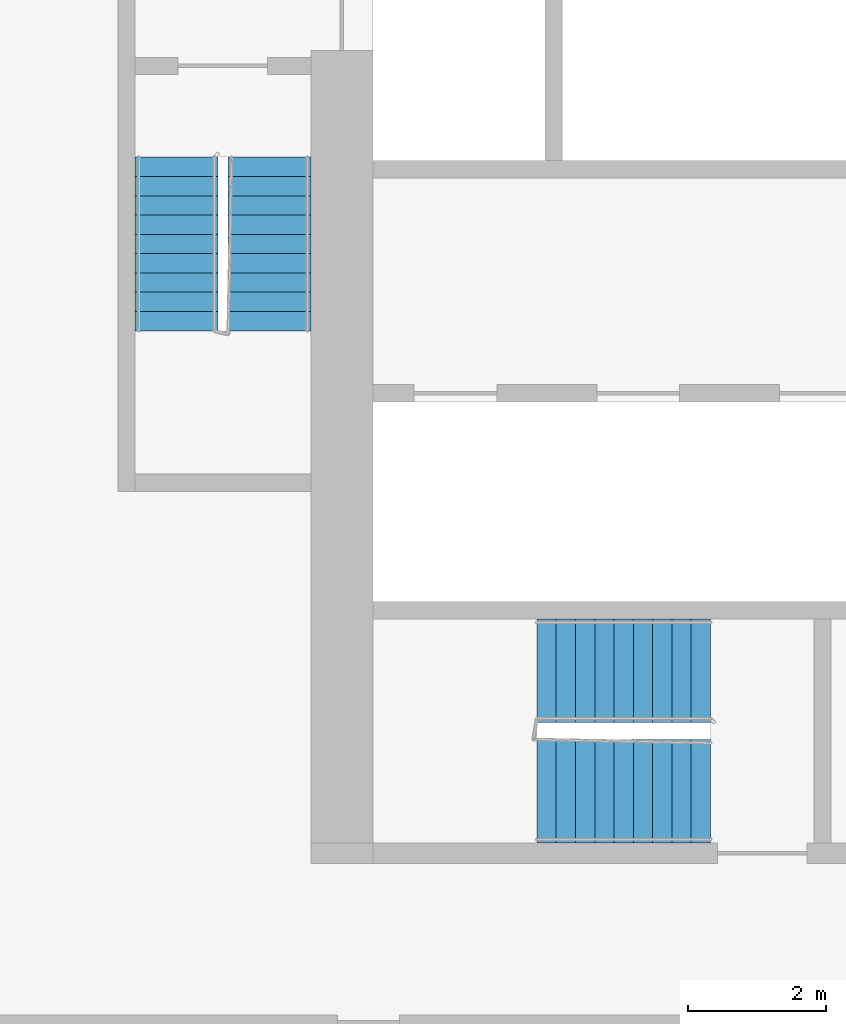
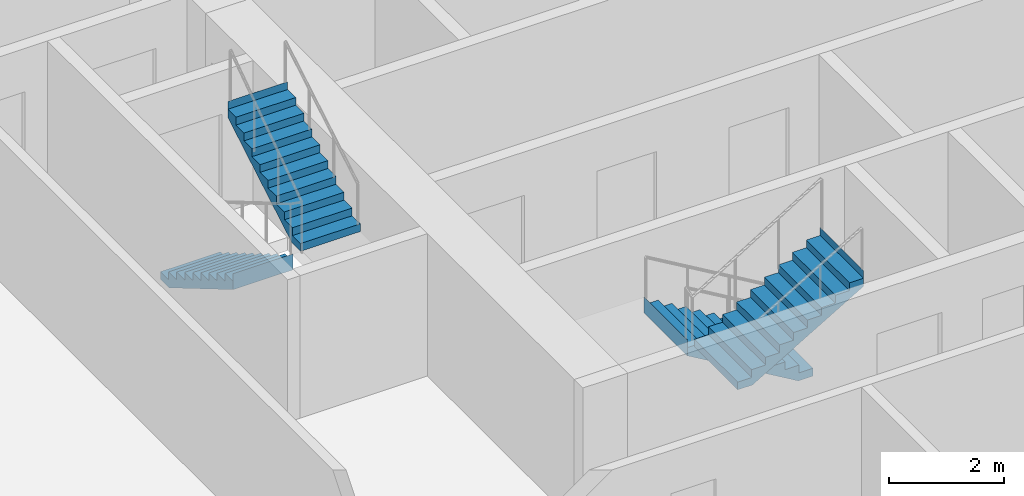
# One storey, part 9 of 13: 4 stair flights, 2 elements without a shape of their own.
"""IFC4 building model written with IfcOpenShell, lengths in metres."""

import ifcopenshell
import ifcopenshell.guid

model = None  # the IFC model being written
_history = None  # IfcOwnerHistory: only IFC2X3 demands one
_inside = {}  # id of a spatial element -> (the spatial element, [elements in it])
_under = {}  # id of a project, library or spatial element -> (it, [spatial elements below it])
_declared = {}  # id of a project -> (the project, [libraries it declares])
_typed = {}  # id of a type object -> (the type object, [elements of that type])
_made_of = {}  # id of a material, layer set ... -> (it, [elements and type objects made of it])


def new_model(schema):
    """Start an empty IFC model of exactly this schema.

    Asked for "IFC4X3", IfcOpenShell would pick the latest addendum, in which some entities
    have other attributes; the version numbers below select the first issue.
    IFC2X3 requires an IfcOwnerHistory on every rooted entity: one is made here for all.
    """
    global model, _history
    if schema == "IFC4X3":
        model = ifcopenshell.file(schema_version=(4, 3, 0, 0))
    else:
        model = ifcopenshell.file(schema=schema)
    _inside.clear()
    _under.clear()
    _declared.clear()
    _typed.clear()
    _made_of.clear()
    _history = None
    if model.schema == "IFC2X3":
        org = make("IfcOrganization", Name="unknown")
        user = make(
            "IfcPersonAndOrganization",
            ThePerson=make("IfcPerson", FamilyName="unknown"),
            TheOrganization=org,
        )
        app = make(
            "IfcApplication",
            ApplicationDeveloper=org,
            Version="unknown",
            ApplicationFullName="unknown",
            ApplicationIdentifier="unknown",
        )
        _history = make(
            "IfcOwnerHistory",
            OwningUser=user,
            OwningApplication=app,
            ChangeAction="ADDED",
            CreationDate=0,
        )
    return model


def make(cls, **values):
    """One entity of the class cls with the attributes given. An attribute that is None is left unset."""
    return model.create_entity(
        cls, **{name: value for name, value in values.items() if value is not None}
    )


def rooted(cls, **values):
    """An entity with a GlobalId (a new one), such as an element, a storey or a relation."""
    return make(cls, GlobalId=ifcopenshell.guid.new(), OwnerHistory=_history, **values)


def si_unit(unit_type, name, prefix=None):
    """IfcSIUnit, for example si_unit("LENGTHUNIT", "METRE", prefix="MILLI")."""
    return make("IfcSIUnit", UnitType=unit_type, Prefix=prefix, Name=name)


def assignment(units):
    """IfcUnitAssignment: the units of a project."""
    return None if units is None else make("IfcUnitAssignment", Units=units)


def point(xyz):
    """IfcCartesianPoint."""
    return None if xyz is None else make("IfcCartesianPoint", Coordinates=xyz)


def direction(xyz):
    """IfcDirection."""
    return None if xyz is None else make("IfcDirection", DirectionRatios=xyz)


def frame(location, z_axis=None, x_axis=None):
    """IfcAxis2Placement3D, a coordinate frame: its origin and axes. An axis left out is left unset."""
    return make(
        "IfcAxis2Placement3D",
        Location=point(location),
        Axis=direction(z_axis),
        RefDirection=direction(x_axis),
    )


def origin():
    """The frame at (0, 0, 0) with its axes left unset."""
    return frame((0.0, 0.0, 0.0))


def place(relative_to, where):
    """IfcLocalPlacement: puts the frame where relative to a parent placement (None: the world)."""
    return make(
        "IfcLocalPlacement", PlacementRelTo=relative_to, RelativePlacement=where
    )


def context(
    kind, dimensions, precision=None, world=None, true_north=None, identifier=None
):
    """IfcGeometricRepresentationContext, for example the 3D "Model" context."""
    return make(
        "IfcGeometricRepresentationContext",
        ContextIdentifier=identifier,
        ContextType=kind,
        CoordinateSpaceDimension=dimensions,
        Precision=precision,
        WorldCoordinateSystem=world,
        TrueNorth=true_north,
    )


def subcontext(parent, identifier, kind, view, scale=None):
    """IfcGeometricRepresentationSubContext, for example "Body" below "Model"."""
    return make(
        "IfcGeometricRepresentationSubContext",
        ContextIdentifier=identifier,
        ContextType=kind,
        ParentContext=parent,
        TargetScale=scale,
        TargetView=view,
    )


def project(units=None, contexts=None):
    """IfcProject with its units and contexts."""
    return rooted(
        "IfcProject",
        Name="project",
        RepresentationContexts=contexts,
        UnitsInContext=assignment(units),
    )


def spatial(cls, under=None, at=None, **own):
    """A site, building, storey or space (cls), placed at a placement, below another one or the project."""
    s = rooted(cls, ObjectPlacement=at, **own)
    if under is not None:
        _under.setdefault(under.id(), (under, []))[1].append(s)
    return s


def faces_of(points, faces, orient=None, outer=None):
    """IfcFace entities. A face is a list of loops; a loop is a list of indices into points, from 0.

    orient and outer hold one flag for each loop. By default every Orientation is true, the
    first loop of a face is its IfcFaceOuterBound and the others are IfcFaceBound.
    """
    made = []
    for i, loops in enumerate(faces):
        bounds = []
        for j, loop in enumerate(loops):
            is_outer = j == 0 if outer is None else outer[i][j]
            bounds.append(
                make(
                    "IfcFaceOuterBound" if is_outer else "IfcFaceBound",
                    Bound=make("IfcPolyLoop", Polygon=[points[k] for k in loop]),
                    Orientation=True if orient is None else orient[i][j],
                )
            )
        made.append(make("IfcFace", Bounds=bounds))
    return made


def faceted_brep(points, faces, orient=None, outer=None, voids=None):
    """IfcFacetedBrep: a solid bounded by flat faces; with voids (closed shells), ...WithVoids."""
    shared = [point(p) for p in points]
    hull = make("IfcClosedShell", CfsFaces=faces_of(shared, faces, orient, outer))
    if voids is None:
        return make("IfcFacetedBrep", Outer=hull)
    return make(
        "IfcFacetedBrepWithVoids",
        Outer=hull,
        Voids=[
            make(cls, CfsFaces=faces_of(shared, fs, o, b)) for cls, fs, o, b in voids
        ],
    )


def shape(context_of_items, identifier, shape_type, items):
    """IfcShapeRepresentation: the items that make up one representation, for example the "Body"."""
    return make(
        "IfcShapeRepresentation",
        ContextOfItems=context_of_items,
        RepresentationIdentifier=identifier,
        RepresentationType=shape_type,
        Items=items,
    )


def material(Name=None, Category=None):
    """IfcMaterial."""
    return make("IfcMaterial", Name=Name, Category=Category)


def made_of(thing, what):
    """Note that an element or type object is made of a material, layer set ...; save() writes the relation."""
    if what is not None:
        _made_of.setdefault(what.id(), (what, []))[1].append(thing)
    return thing


def type_object(cls, material=None, **own):
    """A type object (cls), such as IfcWallType, which elements share."""
    return made_of(rooted(cls, **own), material)


def element(
    cls,
    number,
    at=None,
    inside=None,
    cuts=None,
    type_object=None,
    material=None,
    context=None,
    identifier="Body",
    shape_type=None,
    held_by="IfcProductDefinitionShape",
    body=None,
    shapes=None,
    **own,
):
    """One element of the class cls, such as IfcWall. Its Tag is "e" and its number.

    at: its placement. inside: the storey or other place that contains it. cuts: it is an
    opening in that element (IfcRelVoidsElement). A single representation is given by context,
    identifier, shape_type and body (its items); several are given by shapes. held_by: the class
    of the entity that holds the representations. save() writes the other relations.
    """
    e = rooted(cls, Tag="e%d" % number, ObjectPlacement=at, **own)
    if body is not None:
        shapes = [shape(context, identifier, shape_type, body)]
    if shapes is not None:
        e.Representation = make(held_by, Representations=shapes)
    if inside is not None:
        _inside.setdefault(inside.id(), (inside, []))[1].append(e)
    if cuts is not None:
        rooted(
            "IfcRelVoidsElement", RelatingBuildingElement=cuts, RelatedOpeningElement=e
        )
    if type_object is not None:
        _typed.setdefault(type_object.id(), (type_object, []))[1].append(e)
    return made_of(e, material)


def aggregate(whole, parts):
    """IfcRelAggregates: a whole, such as a stair, and the parts it consists of."""
    return rooted("IfcRelAggregates", RelatingObject=whole, RelatedObjects=parts)


def save(model, path):
    """Write the relations noted so far, then the file.

    IfcRelAggregates (storeys below a building ...), IfcRelContainedInSpatialStructure (elements
    in a storey), IfcRelDefinesByType, IfcRelAssociatesMaterial and IfcRelDeclares: one each for
    every whole, place, type object, material and project.
    """
    for whole, parts in _under.values():
        aggregate(whole, parts)
    for where, things in _inside.values():
        rooted(
            "IfcRelContainedInSpatialStructure",
            RelatedElements=things,
            RelatingStructure=where,
        )
    for kind, things in _typed.values():
        rooted("IfcRelDefinesByType", RelatedObjects=things, RelatingType=kind)
    for what, things in _made_of.values():
        rooted("IfcRelAssociatesMaterial", RelatedObjects=things, RelatingMaterial=what)
    for by, libraries in _declared.values():
        rooted("IfcRelDeclares", RelatingContext=by, RelatedDefinitions=libraries)
    model.write(path)


model = new_model("IFC4")

# Units and contexts
model_context = context("Model", 3, precision=1e-05, world=origin(), true_north=direction((0.0, 1.0)))
body_context = subcontext(model_context, "Body", "Model", "MODEL_VIEW")
ifc_project = project(units=[si_unit("LENGTHUNIT", "METRE"), si_unit("AREAUNIT", "SQUARE_METRE"), si_unit("VOLUMEUNIT", "CUBIC_METRE"), si_unit("PLANEANGLEUNIT", "RADIAN"), si_unit("MASSUNIT", "GRAM", prefix="KILO")], contexts=[model_context])

# Site, building, storey
site_placement = place(None, origin())
site = spatial("IfcSite", under=ifc_project, at=site_placement, CompositionType="ELEMENT")
building_placement = place(site_placement, origin())
building = spatial("IfcBuilding", under=site, at=building_placement, Name="Kajstack Hotel Tower", CompositionType="ELEMENT")
storey_placement = place(building_placement, frame((0.0, 0.0, 69.89990234375)))
storey = spatial("IfcBuildingStorey", under=building, at=storey_placement, Name="L12", CompositionType="ELEMENT", Elevation=69.89990234375)

# Stair, stair flights
ifc_material = material(Name="Concrete C40/50", Category="concrete")
stair_type_1 = type_object("IfcStairType", Name="Exit stair 1200", PredefinedType="HALF_TURN_STAIR", material=ifc_material)
stair_1_placement = place(storey_placement, origin())
stair_1 = element("IfcStair", 1, at=stair_1_placement, inside=storey, type_object=stair_type_1, Name="L12 stair W1", PredefinedType="HALF_TURN_STAIR")
stair_flight_type_1 = type_object("IfcStairFlightType", Name="Exit stair flight 1200", PredefinedType="STRAIGHT", material=ifc_material)
stair_flight_1_placement = place(storey_placement, frame((-33.449951171875, -5.25, 0.0), z_axis=(0.0, 0.0, 1.0), x_axis=(0.0, -1.0, 0.0)))
stair_flight_1 = element("IfcStairFlight", 2, at=stair_flight_1_placement, type_object=stair_flight_type_1, Name="W1 flight 1", NumberOfRisers=10, NumberOfTreads=9, PredefinedType="STRAIGHT", RiserHeight=0.165, TreadLength=0.28, context=body_context, shape_type="Brep", body=[
    faceted_brep([(0.295654296875, -0.60009765625, 0.0), (2.5205078125, -0.60009765625, 1.31103515625), (2.5205078125, -0.60009765625, 1.64990234375), (2.52001953125, -0.60009765625, 1.64990234375), (2.52001953125, -0.60009765625, 1.485107421875), (2.239990234375, -0.60009765625, 1.485107421875), (2.239990234375, -0.60009765625, 1.320068359375), (1.9599609375, -0.60009765625, 1.320068359375), (1.9599609375, -0.60009765625, 1.155029296875), (1.679931640625, -0.60009765625, 1.155029296875), (1.679931640625, -0.60009765625, 0.989990234375), (1.39990234375, -0.60009765625, 0.989990234375), (1.39990234375, -0.60009765625, 0.824951171875), (1.1201171875, -0.60009765625, 0.824951171875), (1.1201171875, -0.60009765625, 0.659912109375), (0.840087890625, -0.60009765625, 0.659912109375), (0.840087890625, -0.60009765625, 0.4951171875), (0.56005859375, -0.60009765625, 0.4951171875), (0.56005859375, -0.60009765625, 0.330078125), (0.280029296875, -0.60009765625, 0.330078125), (0.280029296875, -0.60009765625, 0.1650390625), (-0.00048828125, -0.60009765625, 0.1650390625), (-0.00048828125, -0.60009765625, 0.0), (-0.00048828125, 0.60009765625, 0.0), (-0.00048828125, 0.60009765625, 0.1650390625), (0.280029296875, 0.60009765625, 0.1650390625), (0.280029296875, 0.60009765625, 0.330078125), (0.56005859375, 0.60009765625, 0.330078125), (0.56005859375, 0.60009765625, 0.4951171875), (0.840087890625, 0.60009765625, 0.4951171875), (0.840087890625, 0.60009765625, 0.659912109375), (1.1201171875, 0.60009765625, 0.659912109375), (1.1201171875, 0.60009765625, 0.824951171875), (1.39990234375, 0.60009765625, 0.824951171875), (1.39990234375, 0.60009765625, 0.989990234375), (1.679931640625, 0.60009765625, 0.989990234375), (1.679931640625, 0.60009765625, 1.155029296875), (1.9599609375, 0.60009765625, 1.155029296875), (1.9599609375, 0.60009765625, 1.320068359375), (2.239990234375, 0.60009765625, 1.320068359375), (2.239990234375, 0.60009765625, 1.485107421875), (2.52001953125, 0.60009765625, 1.485107421875), (2.52001953125, 0.60009765625, 1.64990234375), (2.5205078125, 0.60009765625, 1.64990234375), (2.5205078125, 0.60009765625, 1.31103515625), (0.295654296875, 0.60009765625, 0.0), (-0.00048828125, -0.300048828125, 0.1650390625), (-0.00048828125, 0.0, 0.1650390625), (-0.00048828125, 0.300048828125, 0.1650390625), (-0.00048828125, 0.300048828125, 0.0), (-0.00048828125, 0.0, 0.0), (-0.00048828125, -0.300048828125, 0.0), (0.280029296875, -0.300048828125, 0.1650390625), (0.280029296875, 0.0, 0.1650390625), (0.280029296875, 0.300048828125, 0.1650390625), (0.280029296875, -0.300048828125, 0.330078125), (0.280029296875, 0.0, 0.330078125), (0.280029296875, 0.300048828125, 0.330078125), (0.56005859375, -0.300048828125, 0.330078125), (0.56005859375, 0.0, 0.330078125), (0.56005859375, 0.300048828125, 0.330078125), (0.56005859375, -0.300048828125, 0.4951171875), (0.56005859375, 0.0, 0.4951171875), (0.56005859375, 0.300048828125, 0.4951171875), (0.840087890625, -0.300048828125, 0.4951171875), (0.840087890625, 0.0, 0.4951171875), (0.840087890625, 0.300048828125, 0.4951171875), (0.840087890625, -0.300048828125, 0.659912109375), (0.840087890625, 0.0, 0.659912109375), (0.840087890625, 0.300048828125, 0.659912109375), (1.1201171875, -0.300048828125, 0.659912109375), (1.1201171875, 0.0, 0.659912109375), (1.1201171875, 0.300048828125, 0.659912109375), (1.1201171875, -0.300048828125, 0.824951171875), (1.1201171875, 0.0, 0.824951171875), (1.1201171875, 0.300048828125, 0.824951171875), (1.39990234375, -0.300048828125, 0.824951171875), (1.39990234375, 0.0, 0.824951171875), (1.39990234375, 0.300048828125, 0.824951171875), (1.39990234375, -0.300048828125, 0.989990234375), (1.39990234375, 0.0, 0.989990234375), (1.39990234375, 0.300048828125, 0.989990234375), (1.679931640625, -0.300048828125, 0.989990234375), (1.679931640625, 0.0, 0.989990234375), (1.679931640625, 0.300048828125, 0.989990234375), (1.679931640625, -0.300048828125, 1.155029296875), (1.679931640625, 0.0, 1.155029296875), (1.679931640625, 0.300048828125, 1.155029296875), (1.9599609375, -0.300048828125, 1.155029296875), (1.9599609375, 0.0, 1.155029296875), (1.9599609375, 0.300048828125, 1.155029296875), (1.9599609375, -0.300048828125, 1.320068359375), (1.9599609375, 0.0, 1.320068359375), (1.9599609375, 0.300048828125, 1.320068359375), (2.239990234375, -0.300048828125, 1.320068359375), (2.239990234375, 0.0, 1.320068359375), (2.239990234375, 0.300048828125, 1.320068359375), (2.239990234375, -0.300048828125, 1.485107421875), (2.239990234375, 0.0, 1.485107421875), (2.239990234375, 0.300048828125, 1.485107421875), (2.52001953125, -0.300048828125, 1.485107421875), (2.52001953125, 0.0, 1.485107421875), (2.52001953125, 0.300048828125, 1.485107421875), (2.52001953125, -0.300048828125, 1.64990234375), (2.52001953125, 0.0, 1.64990234375), (2.52001953125, 0.300048828125, 1.64990234375), (2.5205078125, -0.300048828125, 1.64990234375), (2.5205078125, 0.0, 1.64990234375), (2.5205078125, 0.300048828125, 1.64990234375), (2.5205078125, -0.300048828125, 1.31103515625), (2.5205078125, 0.0, 1.31103515625), (2.5205078125, 0.300048828125, 1.31103515625), (0.295654296875, -0.300048828125, 0.0), (0.295654296875, 0.0, 0.0), (0.295654296875, 0.300048828125, 0.0)], [[[0, 1, 2, 3, 4, 5, 6, 7, 8, 9, 10, 11, 12, 13, 14, 15, 16, 17, 18, 19, 20, 21, 22]], [[23, 24, 25, 26, 27, 28, 29, 30, 31, 32, 33, 34, 35, 36, 37, 38, 39, 40, 41, 42, 43, 44, 45]], [[21, 46, 47, 48, 24, 23, 49, 50, 51, 22]], [[20, 52, 53, 54, 25, 24, 48, 47, 46, 21]], [[19, 55, 56, 57, 26, 25, 54, 53, 52, 20]], [[18, 58, 59, 60, 27, 26, 57, 56, 55, 19]], [[17, 61, 62, 63, 28, 27, 60, 59, 58, 18]], [[16, 64, 65, 66, 29, 28, 63, 62, 61, 17]], [[15, 67, 68, 69, 30, 29, 66, 65, 64, 16]], [[14, 70, 71, 72, 31, 30, 69, 68, 67, 15]], [[13, 73, 74, 75, 32, 31, 72, 71, 70, 14]], [[12, 76, 77, 78, 33, 32, 75, 74, 73, 13]], [[11, 79, 80, 81, 34, 33, 78, 77, 76, 12]], [[10, 82, 83, 84, 35, 34, 81, 80, 79, 11]], [[9, 85, 86, 87, 36, 35, 84, 83, 82, 10]], [[8, 88, 89, 90, 37, 36, 87, 86, 85, 9]], [[7, 91, 92, 93, 38, 37, 90, 89, 88, 8]], [[6, 94, 95, 96, 39, 38, 93, 92, 91, 7]], [[5, 97, 98, 99, 40, 39, 96, 95, 94, 6]], [[4, 100, 101, 102, 41, 40, 99, 98, 97, 5]], [[3, 103, 104, 105, 42, 41, 102, 101, 100, 4]], [[2, 106, 107, 108, 43, 42, 105, 104, 103, 3]], [[1, 109, 110, 111, 44, 43, 108, 107, 106, 2]], [[0, 112, 113, 114, 45, 44, 111, 110, 109, 1]], [[22, 51, 50, 49, 23, 45, 114, 113, 112, 0]]]),
])
stair_flight_2_placement = place(storey_placement, frame((-32.10009765625, -7.77001953125, 1.650146484375), z_axis=(0.0, 0.0, 1.0), x_axis=(0.0, 1.0, 0.0)))
stair_flight_2 = element("IfcStairFlight", 3, at=stair_flight_2_placement, type_object=stair_flight_type_1, Name="W1 flight 2", NumberOfRisers=10, NumberOfTreads=9, PredefinedType="STRAIGHT", RiserHeight=0.165, TreadLength=0.28, context=body_context, shape_type="Brep", body=[
    faceted_brep([(0.295654296875, -0.60009765625, 0.0), (2.5205078125, -0.60009765625, 1.31103515625), (2.5205078125, -0.60009765625, 1.64990234375), (2.52001953125, -0.60009765625, 1.64990234375), (2.52001953125, -0.60009765625, 1.485107421875), (2.239990234375, -0.60009765625, 1.485107421875), (2.239990234375, -0.60009765625, 1.320068359375), (1.9599609375, -0.60009765625, 1.320068359375), (1.9599609375, -0.60009765625, 1.155029296875), (1.679931640625, -0.60009765625, 1.155029296875), (1.679931640625, -0.60009765625, 0.989990234375), (1.39990234375, -0.60009765625, 0.989990234375), (1.39990234375, -0.60009765625, 0.824951171875), (1.1201171875, -0.60009765625, 0.824951171875), (1.1201171875, -0.60009765625, 0.659912109375), (0.840087890625, -0.60009765625, 0.659912109375), (0.840087890625, -0.60009765625, 0.4951171875), (0.56005859375, -0.60009765625, 0.4951171875), (0.56005859375, -0.60009765625, 0.330078125), (0.280029296875, -0.60009765625, 0.330078125), (0.280029296875, -0.60009765625, 0.1650390625), (-0.00048828125, -0.60009765625, 0.1650390625), (-0.00048828125, -0.60009765625, 0.0), (-0.00048828125, 0.60009765625, 0.0), (-0.00048828125, 0.60009765625, 0.1650390625), (0.280029296875, 0.60009765625, 0.1650390625), (0.280029296875, 0.60009765625, 0.330078125), (0.56005859375, 0.60009765625, 0.330078125), (0.56005859375, 0.60009765625, 0.4951171875), (0.840087890625, 0.60009765625, 0.4951171875), (0.840087890625, 0.60009765625, 0.659912109375), (1.1201171875, 0.60009765625, 0.659912109375), (1.1201171875, 0.60009765625, 0.824951171875), (1.39990234375, 0.60009765625, 0.824951171875), (1.39990234375, 0.60009765625, 0.989990234375), (1.679931640625, 0.60009765625, 0.989990234375), (1.679931640625, 0.60009765625, 1.155029296875), (1.9599609375, 0.60009765625, 1.155029296875), (1.9599609375, 0.60009765625, 1.320068359375), (2.239990234375, 0.60009765625, 1.320068359375), (2.239990234375, 0.60009765625, 1.485107421875), (2.52001953125, 0.60009765625, 1.485107421875), (2.52001953125, 0.60009765625, 1.64990234375), (2.5205078125, 0.60009765625, 1.64990234375), (2.5205078125, 0.60009765625, 1.31103515625), (0.295654296875, 0.60009765625, 0.0), (-0.00048828125, -0.300048828125, 0.1650390625), (-0.00048828125, 0.0, 0.1650390625), (-0.00048828125, 0.300048828125, 0.1650390625), (-0.00048828125, 0.300048828125, 0.0), (-0.00048828125, 0.0, 0.0), (-0.00048828125, -0.300048828125, 0.0), (0.280029296875, -0.300048828125, 0.1650390625), (0.280029296875, 0.0, 0.1650390625), (0.280029296875, 0.300048828125, 0.1650390625), (0.280029296875, -0.300048828125, 0.330078125), (0.280029296875, 0.0, 0.330078125), (0.280029296875, 0.300048828125, 0.330078125), (0.56005859375, -0.300048828125, 0.330078125), (0.56005859375, 0.0, 0.330078125), (0.56005859375, 0.300048828125, 0.330078125), (0.56005859375, -0.300048828125, 0.4951171875), (0.56005859375, 0.0, 0.4951171875), (0.56005859375, 0.300048828125, 0.4951171875), (0.840087890625, -0.300048828125, 0.4951171875), (0.840087890625, 0.0, 0.4951171875), (0.840087890625, 0.300048828125, 0.4951171875), (0.840087890625, -0.300048828125, 0.659912109375), (0.840087890625, 0.0, 0.659912109375), (0.840087890625, 0.300048828125, 0.659912109375), (1.1201171875, -0.300048828125, 0.659912109375), (1.1201171875, 0.0, 0.659912109375), (1.1201171875, 0.300048828125, 0.659912109375), (1.1201171875, -0.300048828125, 0.824951171875), (1.1201171875, 0.0, 0.824951171875), (1.1201171875, 0.300048828125, 0.824951171875), (1.39990234375, -0.300048828125, 0.824951171875), (1.39990234375, 0.0, 0.824951171875), (1.39990234375, 0.300048828125, 0.824951171875), (1.39990234375, -0.300048828125, 0.989990234375), (1.39990234375, 0.0, 0.989990234375), (1.39990234375, 0.300048828125, 0.989990234375), (1.679931640625, -0.300048828125, 0.989990234375), (1.679931640625, 0.0, 0.989990234375), (1.679931640625, 0.300048828125, 0.989990234375), (1.679931640625, -0.300048828125, 1.155029296875), (1.679931640625, 0.0, 1.155029296875), (1.679931640625, 0.300048828125, 1.155029296875), (1.9599609375, -0.300048828125, 1.155029296875), (1.9599609375, 0.0, 1.155029296875), (1.9599609375, 0.300048828125, 1.155029296875), (1.9599609375, -0.300048828125, 1.320068359375), (1.9599609375, 0.0, 1.320068359375), (1.9599609375, 0.300048828125, 1.320068359375), (2.239990234375, -0.300048828125, 1.320068359375), (2.239990234375, 0.0, 1.320068359375), (2.239990234375, 0.300048828125, 1.320068359375), (2.239990234375, -0.300048828125, 1.485107421875), (2.239990234375, 0.0, 1.485107421875), (2.239990234375, 0.300048828125, 1.485107421875), (2.52001953125, -0.300048828125, 1.485107421875), (2.52001953125, 0.0, 1.485107421875), (2.52001953125, 0.300048828125, 1.485107421875), (2.52001953125, -0.300048828125, 1.64990234375), (2.52001953125, 0.0, 1.64990234375), (2.52001953125, 0.300048828125, 1.64990234375), (2.5205078125, -0.300048828125, 1.64990234375), (2.5205078125, 0.0, 1.64990234375), (2.5205078125, 0.300048828125, 1.64990234375), (2.5205078125, -0.300048828125, 1.31103515625), (2.5205078125, 0.0, 1.31103515625), (2.5205078125, 0.300048828125, 1.31103515625), (0.295654296875, -0.300048828125, 0.0), (0.295654296875, 0.0, 0.0), (0.295654296875, 0.300048828125, 0.0)], [[[0, 1, 2, 3, 4, 5, 6, 7, 8, 9, 10, 11, 12, 13, 14, 15, 16, 17, 18, 19, 20, 21, 22]], [[23, 24, 25, 26, 27, 28, 29, 30, 31, 32, 33, 34, 35, 36, 37, 38, 39, 40, 41, 42, 43, 44, 45]], [[21, 46, 47, 48, 24, 23, 49, 50, 51, 22]], [[20, 52, 53, 54, 25, 24, 48, 47, 46, 21]], [[19, 55, 56, 57, 26, 25, 54, 53, 52, 20]], [[18, 58, 59, 60, 27, 26, 57, 56, 55, 19]], [[17, 61, 62, 63, 28, 27, 60, 59, 58, 18]], [[16, 64, 65, 66, 29, 28, 63, 62, 61, 17]], [[15, 67, 68, 69, 30, 29, 66, 65, 64, 16]], [[14, 70, 71, 72, 31, 30, 69, 68, 67, 15]], [[13, 73, 74, 75, 32, 31, 72, 71, 70, 14]], [[12, 76, 77, 78, 33, 32, 75, 74, 73, 13]], [[11, 79, 80, 81, 34, 33, 78, 77, 76, 12]], [[10, 82, 83, 84, 35, 34, 81, 80, 79, 11]], [[9, 85, 86, 87, 36, 35, 84, 83, 82, 10]], [[8, 88, 89, 90, 37, 36, 87, 86, 85, 9]], [[7, 91, 92, 93, 38, 37, 90, 89, 88, 8]], [[6, 94, 95, 96, 39, 38, 93, 92, 91, 7]], [[5, 97, 98, 99, 40, 39, 96, 95, 94, 6]], [[4, 100, 101, 102, 41, 40, 99, 98, 97, 5]], [[3, 103, 104, 105, 42, 41, 102, 101, 100, 4]], [[2, 106, 107, 108, 43, 42, 105, 104, 103, 3]], [[1, 109, 110, 111, 44, 43, 108, 107, 106, 2]], [[0, 112, 113, 114, 45, 44, 111, 110, 109, 1]], [[22, 51, 50, 49, 23, 45, 114, 113, 112, 0]]]),
])
aggregate(stair_1, [stair_flight_1, stair_flight_2])

stair_type_2 = type_object("IfcStairType", Name="Exit stair 1500", PredefinedType="HALF_TURN_STAIR", material=ifc_material)
stair_2_placement = place(storey_placement, origin())
stair_2 = element("IfcStair", 4, at=stair_2_placement, inside=storey, type_object=stair_type_2, Name="L12 stair W3", PredefinedType="HALF_TURN_STAIR")
stair_flight_type_2 = type_object("IfcStairFlightType", Name="Exit stair flight 1500", PredefinedType="STRAIGHT", material=ifc_material)
stair_flight_3_placement = place(storey_placement, frame((-25.699951171875, -12.699951171875, 0.0), z_axis=(0.0, 0.0, 1.0), x_axis=(-1.0, 0.0, 0.0)))
stair_flight_3 = element("IfcStairFlight", 5, at=stair_flight_3_placement, type_object=stair_flight_type_2, Name="W3 flight 1", NumberOfRisers=10, NumberOfTreads=9, PredefinedType="STRAIGHT", RiserHeight=0.165, TreadLength=0.28, context=body_context, shape_type="Brep", body=[
    faceted_brep([(0.295654296875, -0.75, 0.0), (2.5205078125, -0.75, 1.31103515625), (2.5205078125, -0.75, 1.64990234375), (2.52001953125, -0.75, 1.64990234375), (2.52001953125, -0.75, 1.485107421875), (2.239990234375, -0.75, 1.485107421875), (2.239990234375, -0.75, 1.320068359375), (1.9599609375, -0.75, 1.320068359375), (1.9599609375, -0.75, 1.155029296875), (1.679931640625, -0.75, 1.155029296875), (1.679931640625, -0.75, 0.989990234375), (1.39990234375, -0.75, 0.989990234375), (1.39990234375, -0.75, 0.824951171875), (1.1201171875, -0.75, 0.824951171875), (1.1201171875, -0.75, 0.659912109375), (0.840087890625, -0.75, 0.659912109375), (0.840087890625, -0.75, 0.4951171875), (0.56005859375, -0.75, 0.4951171875), (0.56005859375, -0.75, 0.330078125), (0.280029296875, -0.75, 0.330078125), (0.280029296875, -0.75, 0.1650390625), (-0.00048828125, -0.75, 0.1650390625), (-0.00048828125, -0.75, 0.0), (-0.00048828125, 0.75, 0.0), (-0.00048828125, 0.75, 0.1650390625), (0.280029296875, 0.75, 0.1650390625), (0.280029296875, 0.75, 0.330078125), (0.56005859375, 0.75, 0.330078125), (0.56005859375, 0.75, 0.4951171875), (0.840087890625, 0.75, 0.4951171875), (0.840087890625, 0.75, 0.659912109375), (1.1201171875, 0.75, 0.659912109375), (1.1201171875, 0.75, 0.824951171875), (1.39990234375, 0.75, 0.824951171875), (1.39990234375, 0.75, 0.989990234375), (1.679931640625, 0.75, 0.989990234375), (1.679931640625, 0.75, 1.155029296875), (1.9599609375, 0.75, 1.155029296875), (1.9599609375, 0.75, 1.320068359375), (2.239990234375, 0.75, 1.320068359375), (2.239990234375, 0.75, 1.485107421875), (2.52001953125, 0.75, 1.485107421875), (2.52001953125, 0.75, 1.64990234375), (2.5205078125, 0.75, 1.64990234375), (2.5205078125, 0.75, 1.31103515625), (0.295654296875, 0.75, 0.0), (-0.00048828125, -0.375, 0.1650390625), (-0.00048828125, 0.0, 0.1650390625), (-0.00048828125, 0.375, 0.1650390625), (-0.00048828125, 0.375, 0.0), (-0.00048828125, 0.0, 0.0), (-0.00048828125, -0.375, 0.0), (0.280029296875, -0.375, 0.1650390625), (0.280029296875, 0.0, 0.1650390625), (0.280029296875, 0.375, 0.1650390625), (0.280029296875, -0.375, 0.330078125), (0.280029296875, 0.0, 0.330078125), (0.280029296875, 0.375, 0.330078125), (0.56005859375, -0.375, 0.330078125), (0.56005859375, 0.0, 0.330078125), (0.56005859375, 0.375, 0.330078125), (0.56005859375, -0.375, 0.4951171875), (0.56005859375, 0.0, 0.4951171875), (0.56005859375, 0.375, 0.4951171875), (0.840087890625, -0.375, 0.4951171875), (0.840087890625, 0.0, 0.4951171875), (0.840087890625, 0.375, 0.4951171875), (0.840087890625, -0.375, 0.659912109375), (0.840087890625, 0.0, 0.659912109375), (0.840087890625, 0.375, 0.659912109375), (1.1201171875, -0.375, 0.659912109375), (1.1201171875, 0.0, 0.659912109375), (1.1201171875, 0.375, 0.659912109375), (1.1201171875, -0.375, 0.824951171875), (1.1201171875, 0.0, 0.824951171875), (1.1201171875, 0.375, 0.824951171875), (1.39990234375, -0.375, 0.824951171875), (1.39990234375, 0.0, 0.824951171875), (1.39990234375, 0.375, 0.824951171875), (1.39990234375, -0.375, 0.989990234375), (1.39990234375, 0.0, 0.989990234375), (1.39990234375, 0.375, 0.989990234375), (1.679931640625, -0.375, 0.989990234375), (1.679931640625, 0.0, 0.989990234375), (1.679931640625, 0.375, 0.989990234375), (1.679931640625, -0.375, 1.155029296875), (1.679931640625, 0.0, 1.155029296875), (1.679931640625, 0.375, 1.155029296875), (1.9599609375, -0.375, 1.155029296875), (1.9599609375, 0.0, 1.155029296875), (1.9599609375, 0.375, 1.155029296875), (1.9599609375, -0.375, 1.320068359375), (1.9599609375, 0.0, 1.320068359375), (1.9599609375, 0.375, 1.320068359375), (2.239990234375, -0.375, 1.320068359375), (2.239990234375, 0.0, 1.320068359375), (2.239990234375, 0.375, 1.320068359375), (2.239990234375, -0.375, 1.485107421875), (2.239990234375, 0.0, 1.485107421875), (2.239990234375, 0.375, 1.485107421875), (2.52001953125, -0.375, 1.485107421875), (2.52001953125, 0.0, 1.485107421875), (2.52001953125, 0.375, 1.485107421875), (2.52001953125, -0.375, 1.64990234375), (2.52001953125, 0.0, 1.64990234375), (2.52001953125, 0.375, 1.64990234375), (2.5205078125, -0.375, 1.64990234375), (2.5205078125, 0.0, 1.64990234375), (2.5205078125, 0.375, 1.64990234375), (2.5205078125, -0.375, 1.31103515625), (2.5205078125, 0.0, 1.31103515625), (2.5205078125, 0.375, 1.31103515625), (0.295654296875, -0.375, 0.0), (0.295654296875, 0.0, 0.0), (0.295654296875, 0.375, 0.0)], [[[0, 1, 2, 3, 4, 5, 6, 7, 8, 9, 10, 11, 12, 13, 14, 15, 16, 17, 18, 19, 20, 21, 22]], [[23, 24, 25, 26, 27, 28, 29, 30, 31, 32, 33, 34, 35, 36, 37, 38, 39, 40, 41, 42, 43, 44, 45]], [[21, 46, 47, 48, 24, 23, 49, 50, 51, 22]], [[20, 52, 53, 54, 25, 24, 48, 47, 46, 21]], [[19, 55, 56, 57, 26, 25, 54, 53, 52, 20]], [[18, 58, 59, 60, 27, 26, 57, 56, 55, 19]], [[17, 61, 62, 63, 28, 27, 60, 59, 58, 18]], [[16, 64, 65, 66, 29, 28, 63, 62, 61, 17]], [[15, 67, 68, 69, 30, 29, 66, 65, 64, 16]], [[14, 70, 71, 72, 31, 30, 69, 68, 67, 15]], [[13, 73, 74, 75, 32, 31, 72, 71, 70, 14]], [[12, 76, 77, 78, 33, 32, 75, 74, 73, 13]], [[11, 79, 80, 81, 34, 33, 78, 77, 76, 12]], [[10, 82, 83, 84, 35, 34, 81, 80, 79, 11]], [[9, 85, 86, 87, 36, 35, 84, 83, 82, 10]], [[8, 88, 89, 90, 37, 36, 87, 86, 85, 9]], [[7, 91, 92, 93, 38, 37, 90, 89, 88, 8]], [[6, 94, 95, 96, 39, 38, 93, 92, 91, 7]], [[5, 97, 98, 99, 40, 39, 96, 95, 94, 6]], [[4, 100, 101, 102, 41, 40, 99, 98, 97, 5]], [[3, 103, 104, 105, 42, 41, 102, 101, 100, 4]], [[2, 106, 107, 108, 43, 42, 105, 104, 103, 3]], [[1, 109, 110, 111, 44, 43, 108, 107, 106, 2]], [[0, 112, 113, 114, 45, 44, 111, 110, 109, 1]], [[22, 51, 50, 49, 23, 45, 114, 113, 112, 0]]]),
])
stair_flight_4_placement = place(storey_placement, frame((-28.219970703125, -14.449951171875, 1.650146484375), z_axis=(0.0, 0.0, 1.0), x_axis=(1.0, 0.0, 0.0)))
stair_flight_4 = element("IfcStairFlight", 6, at=stair_flight_4_placement, type_object=stair_flight_type_2, Name="W3 flight 2", NumberOfRisers=10, NumberOfTreads=9, PredefinedType="STRAIGHT", RiserHeight=0.165, TreadLength=0.28, context=body_context, shape_type="Brep", body=[
    faceted_brep([(0.295654296875, -0.75, 0.0), (2.5205078125, -0.75, 1.31103515625), (2.5205078125, -0.75, 1.64990234375), (2.52001953125, -0.75, 1.64990234375), (2.52001953125, -0.75, 1.485107421875), (2.239990234375, -0.75, 1.485107421875), (2.239990234375, -0.75, 1.320068359375), (1.9599609375, -0.75, 1.320068359375), (1.9599609375, -0.75, 1.155029296875), (1.679931640625, -0.75, 1.155029296875), (1.679931640625, -0.75, 0.989990234375), (1.39990234375, -0.75, 0.989990234375), (1.39990234375, -0.75, 0.824951171875), (1.1201171875, -0.75, 0.824951171875), (1.1201171875, -0.75, 0.659912109375), (0.840087890625, -0.75, 0.659912109375), (0.840087890625, -0.75, 0.4951171875), (0.56005859375, -0.75, 0.4951171875), (0.56005859375, -0.75, 0.330078125), (0.280029296875, -0.75, 0.330078125), (0.280029296875, -0.75, 0.1650390625), (-0.00048828125, -0.75, 0.1650390625), (-0.00048828125, -0.75, 0.0), (-0.00048828125, 0.75, 0.0), (-0.00048828125, 0.75, 0.1650390625), (0.280029296875, 0.75, 0.1650390625), (0.280029296875, 0.75, 0.330078125), (0.56005859375, 0.75, 0.330078125), (0.56005859375, 0.75, 0.4951171875), (0.840087890625, 0.75, 0.4951171875), (0.840087890625, 0.75, 0.659912109375), (1.1201171875, 0.75, 0.659912109375), (1.1201171875, 0.75, 0.824951171875), (1.39990234375, 0.75, 0.824951171875), (1.39990234375, 0.75, 0.989990234375), (1.679931640625, 0.75, 0.989990234375), (1.679931640625, 0.75, 1.155029296875), (1.9599609375, 0.75, 1.155029296875), (1.9599609375, 0.75, 1.320068359375), (2.239990234375, 0.75, 1.320068359375), (2.239990234375, 0.75, 1.485107421875), (2.52001953125, 0.75, 1.485107421875), (2.52001953125, 0.75, 1.64990234375), (2.5205078125, 0.75, 1.64990234375), (2.5205078125, 0.75, 1.31103515625), (0.295654296875, 0.75, 0.0), (-0.00048828125, -0.375, 0.1650390625), (-0.00048828125, 0.0, 0.1650390625), (-0.00048828125, 0.375, 0.1650390625), (-0.00048828125, 0.375, 0.0), (-0.00048828125, 0.0, 0.0), (-0.00048828125, -0.375, 0.0), (0.280029296875, -0.375, 0.1650390625), (0.280029296875, 0.0, 0.1650390625), (0.280029296875, 0.375, 0.1650390625), (0.280029296875, -0.375, 0.330078125), (0.280029296875, 0.0, 0.330078125), (0.280029296875, 0.375, 0.330078125), (0.56005859375, -0.375, 0.330078125), (0.56005859375, 0.0, 0.330078125), (0.56005859375, 0.375, 0.330078125), (0.56005859375, -0.375, 0.4951171875), (0.56005859375, 0.0, 0.4951171875), (0.56005859375, 0.375, 0.4951171875), (0.840087890625, -0.375, 0.4951171875), (0.840087890625, 0.0, 0.4951171875), (0.840087890625, 0.375, 0.4951171875), (0.840087890625, -0.375, 0.659912109375), (0.840087890625, 0.0, 0.659912109375), (0.840087890625, 0.375, 0.659912109375), (1.1201171875, -0.375, 0.659912109375), (1.1201171875, 0.0, 0.659912109375), (1.1201171875, 0.375, 0.659912109375), (1.1201171875, -0.375, 0.824951171875), (1.1201171875, 0.0, 0.824951171875), (1.1201171875, 0.375, 0.824951171875), (1.39990234375, -0.375, 0.824951171875), (1.39990234375, 0.0, 0.824951171875), (1.39990234375, 0.375, 0.824951171875), (1.39990234375, -0.375, 0.989990234375), (1.39990234375, 0.0, 0.989990234375), (1.39990234375, 0.375, 0.989990234375), (1.679931640625, -0.375, 0.989990234375), (1.679931640625, 0.0, 0.989990234375), (1.679931640625, 0.375, 0.989990234375), (1.679931640625, -0.375, 1.155029296875), (1.679931640625, 0.0, 1.155029296875), (1.679931640625, 0.375, 1.155029296875), (1.9599609375, -0.375, 1.155029296875), (1.9599609375, 0.0, 1.155029296875), (1.9599609375, 0.375, 1.155029296875), (1.9599609375, -0.375, 1.320068359375), (1.9599609375, 0.0, 1.320068359375), (1.9599609375, 0.375, 1.320068359375), (2.239990234375, -0.375, 1.320068359375), (2.239990234375, 0.0, 1.320068359375), (2.239990234375, 0.375, 1.320068359375), (2.239990234375, -0.375, 1.485107421875), (2.239990234375, 0.0, 1.485107421875), (2.239990234375, 0.375, 1.485107421875), (2.52001953125, -0.375, 1.485107421875), (2.52001953125, 0.0, 1.485107421875), (2.52001953125, 0.375, 1.485107421875), (2.52001953125, -0.375, 1.64990234375), (2.52001953125, 0.0, 1.64990234375), (2.52001953125, 0.375, 1.64990234375), (2.5205078125, -0.375, 1.64990234375), (2.5205078125, 0.0, 1.64990234375), (2.5205078125, 0.375, 1.64990234375), (2.5205078125, -0.375, 1.31103515625), (2.5205078125, 0.0, 1.31103515625), (2.5205078125, 0.375, 1.31103515625), (0.295654296875, -0.375, 0.0), (0.295654296875, 0.0, 0.0), (0.295654296875, 0.375, 0.0)], [[[0, 1, 2, 3, 4, 5, 6, 7, 8, 9, 10, 11, 12, 13, 14, 15, 16, 17, 18, 19, 20, 21, 22]], [[23, 24, 25, 26, 27, 28, 29, 30, 31, 32, 33, 34, 35, 36, 37, 38, 39, 40, 41, 42, 43, 44, 45]], [[21, 46, 47, 48, 24, 23, 49, 50, 51, 22]], [[20, 52, 53, 54, 25, 24, 48, 47, 46, 21]], [[19, 55, 56, 57, 26, 25, 54, 53, 52, 20]], [[18, 58, 59, 60, 27, 26, 57, 56, 55, 19]], [[17, 61, 62, 63, 28, 27, 60, 59, 58, 18]], [[16, 64, 65, 66, 29, 28, 63, 62, 61, 17]], [[15, 67, 68, 69, 30, 29, 66, 65, 64, 16]], [[14, 70, 71, 72, 31, 30, 69, 68, 67, 15]], [[13, 73, 74, 75, 32, 31, 72, 71, 70, 14]], [[12, 76, 77, 78, 33, 32, 75, 74, 73, 13]], [[11, 79, 80, 81, 34, 33, 78, 77, 76, 12]], [[10, 82, 83, 84, 35, 34, 81, 80, 79, 11]], [[9, 85, 86, 87, 36, 35, 84, 83, 82, 10]], [[8, 88, 89, 90, 37, 36, 87, 86, 85, 9]], [[7, 91, 92, 93, 38, 37, 90, 89, 88, 8]], [[6, 94, 95, 96, 39, 38, 93, 92, 91, 7]], [[5, 97, 98, 99, 40, 39, 96, 95, 94, 6]], [[4, 100, 101, 102, 41, 40, 99, 98, 97, 5]], [[3, 103, 104, 105, 42, 41, 102, 101, 100, 4]], [[2, 106, 107, 108, 43, 42, 105, 104, 103, 3]], [[1, 109, 110, 111, 44, 43, 108, 107, 106, 2]], [[0, 112, 113, 114, 45, 44, 111, 110, 109, 1]], [[22, 51, 50, 49, 23, 45, 114, 113, 112, 0]]]),
])
aggregate(stair_2, [stair_flight_3, stair_flight_4])

save(model, "model.ifc")
